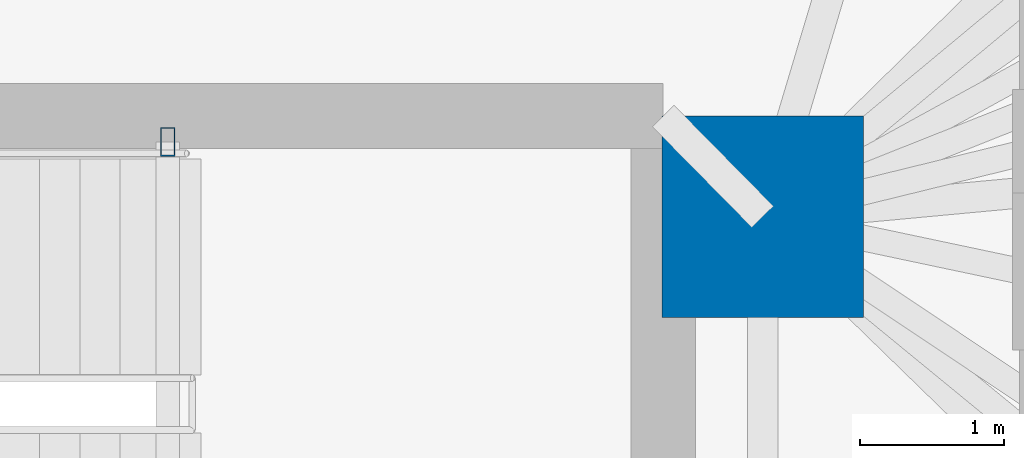
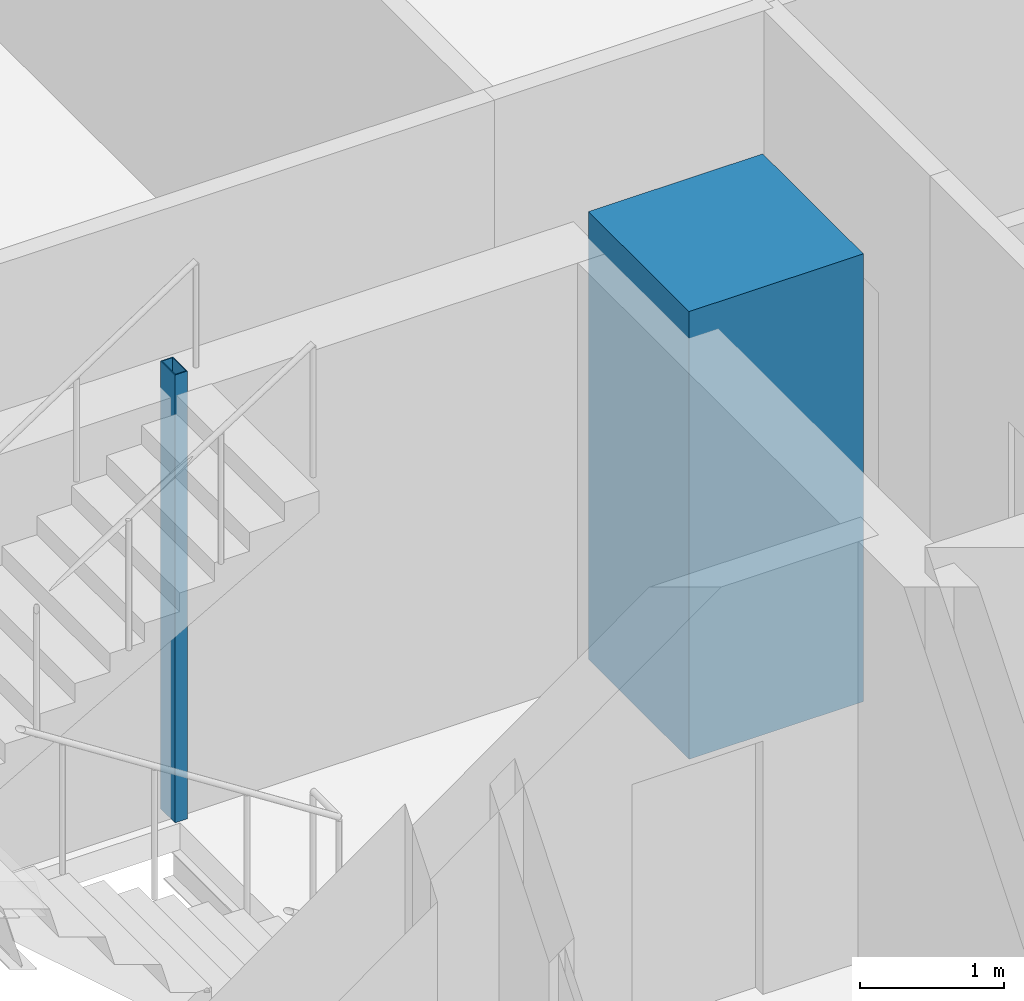
# One storey, part 4 of 17: 2 columns.
"""IFC4 building model written with IfcOpenShell, lengths in metres."""

from ifc_helpers import new_model, si_unit, direction, frame, origin, origin_2d, place, context, subcontext, project, spatial, rectangle, hollow_rectangle, extrude, material, material_profile, profile_set, type_object, element, save


model = new_model("IFC4")

# Units and contexts
model_context = context("Model", 3, precision=1e-05, world=origin(), true_north=direction((0.0, 1.0)))
body_context = subcontext(model_context, "Body", "Model", "MODEL_VIEW")
ifc_project = project(units=[si_unit("LENGTHUNIT", "METRE"), si_unit("AREAUNIT", "SQUARE_METRE"), si_unit("VOLUMEUNIT", "CUBIC_METRE"), si_unit("PLANEANGLEUNIT", "RADIAN"), si_unit("MASSUNIT", "GRAM", prefix="KILO")], contexts=[model_context])

# Site, building, storey
site_placement = place(None, origin())
site = spatial("IfcSite", under=ifc_project, at=site_placement, CompositionType="ELEMENT")
building_placement = place(site_placement, origin())
building = spatial("IfcBuilding", under=site, at=building_placement, Name="Menara Jurai Vektor", CompositionType="ELEMENT")
storey_placement = place(building_placement, frame((0.0, 0.0, 37.0)))
storey = spatial("IfcBuildingStorey", under=building, at=storey_placement, Name="L08", CompositionType="ELEMENT", Elevation=37.0)

# Columns
ifc_material_1 = material(Name="Concrete C60/75", Category="concrete")
ifc_material_profile_1 = material_profile(ifc_material_1, rectangle(XDim=1.39990234375, YDim=1.39990234375, at=origin_2d()), Name="RC 1400x1400")
ifc_profile_set_1 = profile_set([ifc_material_profile_1], Name="Concrete C60/75")
column_type_1 = type_object("IfcColumnType", Name="STR-COL-RC1400", PredefinedType="COLUMN", material=ifc_profile_set_1)
column_1_placement = place(storey_placement, frame((15.25, 4.89990234375, 0.0), z_axis=(0.0, 0.0, 1.0), x_axis=(1.0, 0.0, 0.0)))
element("IfcColumn", 1, at=column_1_placement, inside=storey, type_object=column_type_1, Name="Core Spine Column CE-NE L08", PredefinedType="COLUMN", context=body_context, shape_type="SweptSolid", body=[
    extrude(rectangle(XDim=1.39990234375, YDim=1.39990234375, at=origin_2d()), origin(), (0.0, 0.0, 1.0), 3.800048828125),
])
ifc_material_2 = material(Name="Steel S355", Category="steel")
ifc_material_profile_2 = material_profile(ifc_material_2, hollow_rectangle(XDim=0.10009765625, YDim=0.199951171875, WallThickness=0.008056640625, at=origin_2d()), Name="RHS 200x100x8")
ifc_profile_set_2 = profile_set([ifc_material_profile_2], Name="Steel S355")
column_type_2 = type_object("IfcColumnType", Name="STR-COL-STAIR", PredefinedType="COLUMN", material=ifc_profile_set_2)
column_2_placement = place(storey_placement, frame((11.1201171875, 5.419921875, 0.0), z_axis=(0.0, 0.0, 1.0), x_axis=(1.0, 0.0, 0.0)))
element("IfcColumn", 2, at=column_2_placement, inside=storey, type_object=column_type_2, Name="Stair Well Header Column ST2-P2 L08", PredefinedType="COLUMN", context=body_context, shape_type="SweptSolid", body=[
    extrude(hollow_rectangle(XDim=0.10009765625, YDim=0.199951171875, WallThickness=0.008056640625, at=origin_2d()), origin(), (0.0, 0.0, 1.0), 3.800048828125),
])

save(model, "model.ifc")
